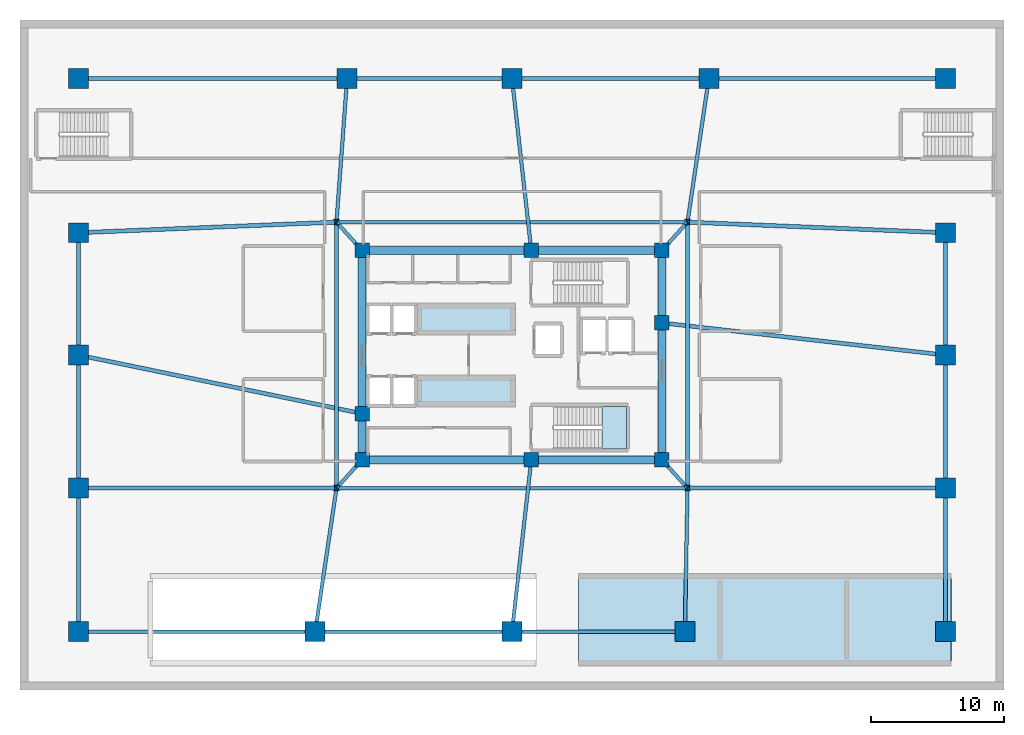
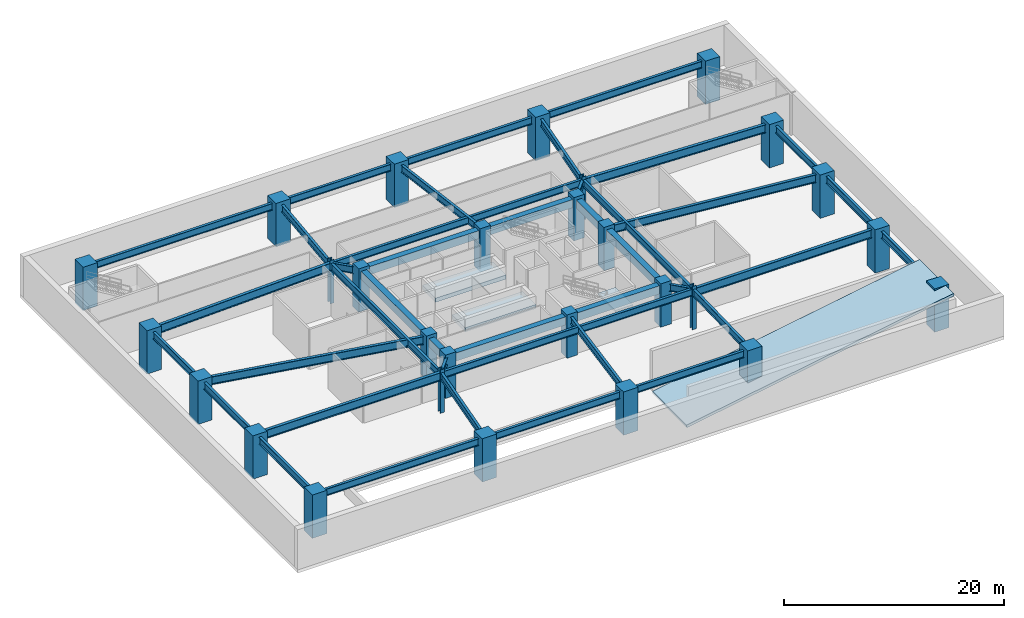
# One storey, part 1 of 7: 41 beams, 28 columns, 4 slabs, 1 element without a shape of its own.
"""IFC4 building model written with IfcOpenShell, lengths in metres."""

from ifc_helpers import new_model, si_unit, direction, frame, origin, origin_2d, place, context, subcontext, project, spatial, polyline, rectangle, i_section, outline, extrude, material, layer, layer_set, material_profile, profile_set, type_object, element, aggregate, save


model = new_model("IFC4")

# Units and contexts
model_context = context("Model", 3, precision=1e-05, world=origin(), true_north=direction((0.0, 1.0)))
body_context = subcontext(model_context, "Body", "Model", "MODEL_VIEW")
ifc_project = project(units=[si_unit("LENGTHUNIT", "METRE"), si_unit("AREAUNIT", "SQUARE_METRE"), si_unit("VOLUMEUNIT", "CUBIC_METRE"), si_unit("PLANEANGLEUNIT", "RADIAN"), si_unit("MASSUNIT", "GRAM", prefix="KILO")], contexts=[model_context])

# Site, building, storey
site_placement = place(None, origin())
site = spatial("IfcSite", under=ifc_project, at=site_placement, CompositionType="ELEMENT")
building_placement = place(site_placement, origin())
building = spatial("IfcBuilding", under=site, at=building_placement, Name="Zulverin Broadcast Headquarters", CompositionType="ELEMENT")
storey_placement = place(building_placement, frame((0.0, 0.0, -4.800048828125)))
storey = spatial("IfcBuildingStorey", under=building, at=storey_placement, Name="B1", CompositionType="ELEMENT", Elevation=-4.800048828125)

# Columns
ifc_material_1 = material(Name="Concrete C60/75", Category="concrete")
ifc_material_profile_1 = material_profile(ifc_material_1, rectangle(XDim=1.5, YDim=1.5, at=origin_2d()), Name="Concrete C60/75", Category="concrete")
ifc_profile_set_1 = profile_set([ifc_material_profile_1], Name="Concrete C60/75")
column_type_1 = type_object("IfcColumnType", Name="COL-RC-1500", PredefinedType="COLUMN", material=ifc_profile_set_1)
for number, where, z_axis, x_axis, name in (
    (1, (4.39990234375, 4.39990234375, 0.0), (0.0, 0.0, 1.0), (1.0, 0.0, 0.0), "B1 Podium Mega Column P01"),
    (2, (22.199951171875, 4.39990234375, 0.0), (0.0, 0.0, 1.0), (1.0, 0.0, 0.0), "B1 Podium Mega Column P02"),
    (3, (37.0, 4.39990234375, 0.0), (0.0, 0.0, 1.0), (1.0, 0.0, 0.0), "B1 Podium Mega Column P03"),
    (4, (50.0, 4.39990234375, 0.0), (0.0, 0.0, 1.0), (1.0, 0.0, 0.0), "B1 Podium Mega Column P04"),
    (5, (69.60009765625, 4.39990234375, 0.0), (0.0, 0.0, 1.0), (1.0, 0.0, 0.0), "B1 Podium Mega Column P05"),
    (6, (4.39990234375, 46.0, 0.0), (0.0, 0.0, 1.0), (1.0, 0.0, 0.0), "B1 Podium Mega Column P06"),
    (7, (24.60009765625, 46.0, 0.0), (0.0, 0.0, 1.0), (1.0, 0.0, 0.0), "B1 Podium Mega Column P07"),
    (8, (37.0, 46.0, 0.0), (0.0, 0.0, 1.0), (1.0, 0.0, 0.0), "B1 Podium Mega Column P08"),
    (9, (51.800048828125, 46.0, 0.0), (0.0, 0.0, 1.0), (1.0, 0.0, 0.0), "B1 Podium Mega Column P09"),
    (10, (69.60009765625, 46.0, 0.0), (0.0, 0.0, 1.0), (1.0, 0.0, 0.0), "B1 Podium Mega Column P10"),
    (11, (4.39990234375, 15.199951171875, 0.0), (0.0, 0.0, 1.0), (1.0, 0.0, 0.0), "B1 Podium Mega Column P11"),
    (12, (4.39990234375, 25.199951171875, 0.0), (0.0, 0.0, 1.0), (1.0, 0.0, 0.0), "B1 Podium Mega Column P12"),
    (13, (4.39990234375, 34.39990234375, 0.0), (0.0, 0.0, 1.0), (1.0, 0.0, 0.0), "B1 Podium Mega Column P13"),
    (14, (69.60009765625, 15.199951171875, 0.0), (0.0, 0.0, 1.0), (1.0, 0.0, 0.0), "B1 Podium Mega Column P14"),
    (15, (69.60009765625, 25.199951171875, 0.0), (0.0, 0.0, 1.0), (1.0, 0.0, 0.0), "B1 Podium Mega Column P15"),
    (16, (69.60009765625, 34.39990234375, 0.0), (0.0, 0.0, 1.0), (1.0, 0.0, 0.0), "B1 Podium Mega Column P16"),
):
    element("IfcColumn", number, at=place(storey_placement, frame(where, z_axis=z_axis, x_axis=x_axis)), inside=storey, type_object=column_type_1, Name=name, PredefinedType="COLUMN", context=body_context, shape_type="SweptSolid", body=[
        extrude(rectangle(XDim=1.5, YDim=1.5, at=origin_2d()), origin(), (0.0, 0.0, 1.0), 4.800048828125),
    ])
ifc_material_2 = material(Name="Structural steel S460M", Category="steel")
ifc_material_profile_2 = material_profile(ifc_material_2, i_section(OverallWidth=0.41845703125, OverallDepth=0.45556640625, WebThickness=0.0419921875, FlangeThickness=0.0673828125, at=origin_2d()), Name="Structural steel S460M", Category="steel")
ifc_profile_set_2 = profile_set([ifc_material_profile_2], Name="Structural steel S460M")
column_type_2 = type_object("IfcColumnType", Name="COL-UC-551", PredefinedType="COLUMN", material=ifc_profile_set_2)
for number, where, z_axis, x_axis, name in (
    (17, (23.800048828125, 15.199951171875, 0.0), (0.0, 0.0, 1.0), (1.0, 0.0, 0.0), "B1 Podium Mega Column M01"),
    (18, (50.199951171875, 15.199951171875, 0.0), (0.0, 0.0, 1.0), (1.0, 0.0, 0.0), "B1 Podium Mega Column M02"),
    (19, (50.199951171875, 35.199951171875, 0.0), (0.0, 0.0, 1.0), (1.0, 0.0, 0.0), "B1 Podium Mega Column M03"),
    (20, (23.800048828125, 35.199951171875, 0.0), (0.0, 0.0, 1.0), (1.0, 0.0, 0.0), "B1 Podium Mega Column M04"),
):
    element("IfcColumn", number, at=place(storey_placement, frame(where, z_axis=z_axis, x_axis=x_axis)), inside=storey, type_object=column_type_2, Name=name, PredefinedType="COLUMN", context=body_context, shape_type="SweptSolid", body=[
        extrude(i_section(OverallWidth=0.41845703125, OverallDepth=0.45556640625, WebThickness=0.0419921875, FlangeThickness=0.0673828125, at=origin_2d()), origin(), (0.0, 0.0, 1.0), 4.800048828125),
    ])
ifc_material_profile_3 = material_profile(ifc_material_1, rectangle(XDim=1.10009765625, YDim=1.10009765625, at=origin_2d()), Name="Concrete C60/75", Category="concrete")
ifc_profile_set_3 = profile_set([ifc_material_profile_3], Name="Concrete C60/75")
column_type_3 = type_object("IfcColumnType", Name="PIL-RC-1100", PredefinedType="PILASTER", material=ifc_profile_set_3)
for number, where, z_axis, x_axis, name in (
    (21, (25.72509765625, 17.324951171875, 0.0), (0.0, 0.0, 1.0), (1.0, 0.0, 0.0), "B1 Core Pilaster K01"),
    (22, (38.449951171875, 17.324951171875, 0.0), (0.0, 0.0, 1.0), (1.0, 0.0, 0.0), "B1 Core Pilaster K02"),
    (23, (48.27490234375, 17.324951171875, 0.0), (0.0, 0.0, 1.0), (1.0, 0.0, 0.0), "B1 Core Pilaster K03"),
    (24, (48.27490234375, 27.6201171875, 0.0), (0.0, 0.0, 1.0), (1.0, 0.0, 0.0), "B1 Core Pilaster K04"),
    (25, (48.27490234375, 33.074951171875, 0.0), (0.0, 0.0, 1.0), (1.0, 0.0, 0.0), "B1 Core Pilaster K05"),
    (26, (38.449951171875, 33.074951171875, 0.0), (0.0, 0.0, 1.0), (1.0, 0.0, 0.0), "B1 Core Pilaster K06"),
    (27, (25.72509765625, 33.074951171875, 0.0), (0.0, 0.0, 1.0), (1.0, 0.0, 0.0), "B1 Core Pilaster K07"),
    (28, (25.72509765625, 20.800048828125, 0.0), (0.0, 0.0, 1.0), (1.0, 0.0, 0.0), "B1 Core Pilaster K08"),
):
    element("IfcColumn", number, at=place(storey_placement, frame(where, z_axis=z_axis, x_axis=x_axis)), inside=storey, type_object=column_type_3, Name=name, PredefinedType="PILASTER", context=body_context, shape_type="SweptSolid", body=[
        extrude(rectangle(XDim=1.10009765625, YDim=1.10009765625, at=origin_2d()), origin(), (0.0, 0.0, 1.0), 4.800048828125),
    ])

# Beams
ifc_material_profile_4 = material_profile(ifc_material_1, rectangle(XDim=0.60009765625, YDim=0.89990234375, at=origin_2d()), Name="Concrete C60/75", Category="concrete")
ifc_profile_set_4 = profile_set([ifc_material_profile_4], Name="Concrete C60/75")
beam_type_1 = type_object("IfcBeamType", Name="BM-CB-600x900", PredefinedType="LINTEL", material=ifc_profile_set_4)
beam_1_placement = place(storey_placement, frame((25.72509765625, 17.324951171875, 4.0), z_axis=(1.0, 0.0, 0.0), x_axis=(0.0, 1.0, 0.0)))
element("IfcBeam", 29, at=beam_1_placement, inside=storey, type_object=beam_type_1, Name="B1 Core Coupling Girder K01-K02", PredefinedType="LINTEL", context=body_context, shape_type="SweptSolid", body=[
    extrude(rectangle(XDim=0.60009765625, YDim=0.89990234375, at=origin_2d()), origin(), (0.0, 0.0, 1.0), 12.724853515625),
])
beam_2_placement = place(storey_placement, frame((38.449951171875, 17.324951171875, 4.0), z_axis=(1.0, 0.0, 0.0), x_axis=(0.0, 1.0, 0.0)))
element("IfcBeam", 30, at=beam_2_placement, inside=storey, type_object=beam_type_1, Name="B1 Core Coupling Girder K02-K03", PredefinedType="LINTEL", context=body_context, shape_type="SweptSolid", body=[
    extrude(rectangle(XDim=0.60009765625, YDim=0.89990234375, at=origin_2d()), origin(), (0.0, 0.0, 1.0), 9.824951171875),
])
beam_3_placement = place(storey_placement, frame((48.27490234375, 17.324951171875, 4.0), z_axis=(0.0, 1.0, 0.0), x_axis=(-1.0, 0.0, 0.0)))
element("IfcBeam", 31, at=beam_3_placement, inside=storey, type_object=beam_type_1, Name="B1 Core Coupling Girder K03-K04", PredefinedType="LINTEL", context=body_context, shape_type="SweptSolid", body=[
    extrude(rectangle(XDim=0.60009765625, YDim=0.89990234375, at=origin_2d()), origin(), (0.0, 0.0, 1.0), 10.295166015625),
])
beam_4_placement = place(storey_placement, frame((48.27490234375, 27.6201171875, 4.0), z_axis=(0.0, 1.0, 0.0), x_axis=(-1.0, 0.0, 0.0)))
element("IfcBeam", 32, at=beam_4_placement, inside=storey, type_object=beam_type_1, Name="B1 Core Coupling Girder K04-K05", PredefinedType="LINTEL", context=body_context, shape_type="SweptSolid", body=[
    extrude(rectangle(XDim=0.60009765625, YDim=0.89990234375, at=origin_2d()), origin(), (0.0, 0.0, 1.0), 5.454833984375),
])
beam_5_placement = place(storey_placement, frame((48.27490234375, 33.074951171875, 4.0), z_axis=(-1.0, 0.0, 0.0), x_axis=(0.0, -1.0, 0.0)))
element("IfcBeam", 33, at=beam_5_placement, inside=storey, type_object=beam_type_1, Name="B1 Core Coupling Girder K05-K06", PredefinedType="LINTEL", context=body_context, shape_type="SweptSolid", body=[
    extrude(rectangle(XDim=0.60009765625, YDim=0.89990234375, at=origin_2d()), origin(), (0.0, 0.0, 1.0), 9.824951171875),
])
beam_6_placement = place(storey_placement, frame((38.449951171875, 33.074951171875, 4.0), z_axis=(-1.0, 0.0, 0.0), x_axis=(0.0, -1.0, 0.0)))
element("IfcBeam", 34, at=beam_6_placement, inside=storey, type_object=beam_type_1, Name="B1 Core Coupling Girder K06-K07", PredefinedType="LINTEL", context=body_context, shape_type="SweptSolid", body=[
    extrude(rectangle(XDim=0.60009765625, YDim=0.89990234375, at=origin_2d()), origin(), (0.0, 0.0, 1.0), 12.724853515625),
])
beam_7_placement = place(storey_placement, frame((25.72509765625, 33.074951171875, 4.0), z_axis=(0.0, -1.0, 0.0), x_axis=(1.0, 0.0, 0.0)))
element("IfcBeam", 35, at=beam_7_placement, inside=storey, type_object=beam_type_1, Name="B1 Core Coupling Girder K07-K08", PredefinedType="LINTEL", context=body_context, shape_type="SweptSolid", body=[
    extrude(rectangle(XDim=0.60009765625, YDim=0.89990234375, at=origin_2d()), origin(), (0.0, 0.0, 1.0), 12.27490234375),
])
beam_8_placement = place(storey_placement, frame((25.72509765625, 20.800048828125, 4.0), z_axis=(0.0, -1.0, 0.0), x_axis=(1.0, 0.0, 0.0)))
element("IfcBeam", 36, at=beam_8_placement, inside=storey, type_object=beam_type_1, Name="B1 Core Coupling Girder K08-K01", PredefinedType="LINTEL", context=body_context, shape_type="SweptSolid", body=[
    extrude(rectangle(XDim=0.60009765625, YDim=0.89990234375, at=origin_2d()), origin(), (0.0, 0.0, 1.0), 3.47509765625),
])
ifc_material_profile_5 = material_profile(ifc_material_2, i_section(OverallWidth=0.300048828125, OverallDepth=0.89990234375, WebThickness=0.0185546875, FlangeThickness=0.034912109375, at=origin_2d()), Name="Structural steel S460M", Category="steel")
ifc_profile_set_5 = profile_set([ifc_material_profile_5], Name="Structural steel S460M")
beam_type_2 = type_object("IfcBeamType", Name="BM-HEB-900", PredefinedType="BEAM", material=ifc_profile_set_5)
beam_9_placement = place(storey_placement, frame((4.39990234375, 25.199951171875, 4.0), z_axis=(0.979371499946, -0.202067971471, 0.0), x_axis=(0.202067971471, 0.979371499946, 0.0)))
element("IfcBeam", 37, at=beam_9_placement, inside=storey, type_object=beam_type_2, Name="B1 Long-Span Studio Girder P12-K08", PredefinedType="BEAM", context=body_context, shape_type="SweptSolid", body=[
    extrude(i_section(OverallWidth=0.300048828125, OverallDepth=0.89990234375, WebThickness=0.0185546875, FlangeThickness=0.034912109375, at=origin_2d()), origin(), (0.0, 0.0, 1.0), 21.7744140625),
])
beam_10_placement = place(storey_placement, frame((69.60009765625, 25.199951171875, 4.0), z_axis=(-0.993621718585, 0.112764712373, 0.0), x_axis=(-0.112764712373, -0.993621718585, 0.0)))
element("IfcBeam", 38, at=beam_10_placement, inside=storey, type_object=beam_type_2, Name="B1 Long-Span Studio Girder P15-K04", PredefinedType="BEAM", context=body_context, shape_type="SweptSolid", body=[
    extrude(i_section(OverallWidth=0.300048828125, OverallDepth=0.89990234375, WebThickness=0.0185546875, FlangeThickness=0.034912109375, at=origin_2d()), origin(), (0.0, 0.0, 1.0), 21.462158203125),
])
ifc_material_3 = material(Name="Structural steel S355JR", Category="steel")
ifc_material_profile_6 = material_profile(ifc_material_3, i_section(OverallWidth=0.26806640625, OverallDepth=0.769775390625, WebThickness=0.015625, FlangeThickness=0.025390625, at=origin_2d()), Name="Structural steel S355JR", Category="steel")
ifc_profile_set_6 = profile_set([ifc_material_profile_6], Name="Structural steel S355JR")
beam_type_3 = type_object("IfcBeamType", Name="BM-UB-762", PredefinedType="BEAM", material=ifc_profile_set_6)
beam_11_placement = place(storey_placement, frame((4.39990234375, 4.39990234375, 4.065185546875), z_axis=(1.0, 0.0, 0.0), x_axis=(0.0, 1.0, 0.0)))
element("IfcBeam", 39, at=beam_11_placement, inside=storey, type_object=beam_type_3, Name="B1 Podium Primary Girder P01-P02", PredefinedType="BEAM", context=body_context, shape_type="SweptSolid", body=[
    extrude(i_section(OverallWidth=0.26806640625, OverallDepth=0.769775390625, WebThickness=0.015625, FlangeThickness=0.025390625, at=origin_2d()), origin(), (0.0, 0.0, 1.0), 17.800048828125),
])
beam_12_placement = place(storey_placement, frame((22.199951171875, 4.39990234375, 4.065185546875), z_axis=(1.0, 0.0, 0.0), x_axis=(0.0, 1.0, 0.0)))
element("IfcBeam", 40, at=beam_12_placement, inside=storey, type_object=beam_type_3, Name="B1 Podium Primary Girder P02-P03", PredefinedType="BEAM", context=body_context, shape_type="SweptSolid", body=[
    extrude(i_section(OverallWidth=0.26806640625, OverallDepth=0.769775390625, WebThickness=0.015625, FlangeThickness=0.025390625, at=origin_2d()), origin(), (0.0, 0.0, 1.0), 14.800048828125),
])
beam_13_placement = place(storey_placement, frame((37.0, 4.39990234375, 4.065185546875), z_axis=(1.0, 0.0, 0.0), x_axis=(0.0, 1.0, 0.0)))
element("IfcBeam", 41, at=beam_13_placement, inside=storey, type_object=beam_type_3, Name="B1 Podium Primary Girder P03-P04", PredefinedType="BEAM", context=body_context, shape_type="SweptSolid", body=[
    extrude(i_section(OverallWidth=0.26806640625, OverallDepth=0.769775390625, WebThickness=0.015625, FlangeThickness=0.025390625, at=origin_2d()), origin(), (0.0, 0.0, 1.0), 13.0),
])
beam_14_placement = place(storey_placement, frame((69.60009765625, 4.39990234375, 4.025146484375), z_axis=(0.0, 1.0, 0.0), x_axis=(-1.0, 0.0, 0.0)))
element("IfcBeam", 42, at=beam_14_placement, inside=storey, type_object=beam_type_3, Name="B1 Podium Primary Girder P05-P14", PredefinedType="BEAM", context=body_context, shape_type="SweptSolid", body=[
    extrude(i_section(OverallWidth=0.26806640625, OverallDepth=0.769775390625, WebThickness=0.015625, FlangeThickness=0.025390625, at=origin_2d()), origin(), (0.0, 0.0, 1.0), 10.800048828125),
])
beam_15_placement = place(storey_placement, frame((69.60009765625, 15.199951171875, 4.065185546875), z_axis=(0.0, 1.0, 0.0), x_axis=(-1.0, 0.0, 0.0)))
element("IfcBeam", 43, at=beam_15_placement, inside=storey, type_object=beam_type_3, Name="B1 Podium Primary Girder P14-P15", PredefinedType="BEAM", context=body_context, shape_type="SweptSolid", body=[
    extrude(i_section(OverallWidth=0.26806640625, OverallDepth=0.769775390625, WebThickness=0.015625, FlangeThickness=0.025390625, at=origin_2d()), origin(), (0.0, 0.0, 1.0), 10.0),
])
beam_16_placement = place(storey_placement, frame((69.60009765625, 25.199951171875, 4.065185546875), z_axis=(0.0, 1.0, 0.0), x_axis=(-1.0, 0.0, 0.0)))
element("IfcBeam", 44, at=beam_16_placement, inside=storey, type_object=beam_type_3, Name="B1 Podium Primary Girder P15-P16", PredefinedType="BEAM", context=body_context, shape_type="SweptSolid", body=[
    extrude(i_section(OverallWidth=0.26806640625, OverallDepth=0.769775390625, WebThickness=0.015625, FlangeThickness=0.025390625, at=origin_2d()), origin(), (0.0, 0.0, 1.0), 9.199951171875),
])
beam_17_placement = place(storey_placement, frame((69.60009765625, 46.0, 4.065185546875), z_axis=(-1.0, 0.0, 0.0), x_axis=(0.0, -1.0, 0.0)))
element("IfcBeam", 45, at=beam_17_placement, inside=storey, type_object=beam_type_3, Name="B1 Podium Primary Girder P10-P09", PredefinedType="BEAM", context=body_context, shape_type="SweptSolid", body=[
    extrude(i_section(OverallWidth=0.26806640625, OverallDepth=0.769775390625, WebThickness=0.015625, FlangeThickness=0.025390625, at=origin_2d()), origin(), (0.0, 0.0, 1.0), 17.800048828125),
])
beam_18_placement = place(storey_placement, frame((51.800048828125, 46.0, 4.065185546875), z_axis=(-1.0, 0.0, 0.0), x_axis=(0.0, -1.0, 0.0)))
element("IfcBeam", 46, at=beam_18_placement, inside=storey, type_object=beam_type_3, Name="B1 Podium Primary Girder P09-P08", PredefinedType="BEAM", context=body_context, shape_type="SweptSolid", body=[
    extrude(i_section(OverallWidth=0.26806640625, OverallDepth=0.769775390625, WebThickness=0.015625, FlangeThickness=0.025390625, at=origin_2d()), origin(), (0.0, 0.0, 1.0), 14.800048828125),
])
beam_19_placement = place(storey_placement, frame((37.0, 46.0, 4.065185546875), z_axis=(-1.0, 0.0, 0.0), x_axis=(0.0, -1.0, 0.0)))
element("IfcBeam", 47, at=beam_19_placement, inside=storey, type_object=beam_type_3, Name="B1 Podium Primary Girder P08-P07", PredefinedType="BEAM", context=body_context, shape_type="SweptSolid", body=[
    extrude(i_section(OverallWidth=0.26806640625, OverallDepth=0.769775390625, WebThickness=0.015625, FlangeThickness=0.025390625, at=origin_2d()), origin(), (0.0, 0.0, 1.0), 12.39990234375),
])
beam_20_placement = place(storey_placement, frame((24.60009765625, 46.0, 4.065185546875), z_axis=(-1.0, 0.0, 0.0), x_axis=(0.0, -1.0, 0.0)))
element("IfcBeam", 48, at=beam_20_placement, inside=storey, type_object=beam_type_3, Name="B1 Podium Primary Girder P07-P06", PredefinedType="BEAM", context=body_context, shape_type="SweptSolid", body=[
    extrude(i_section(OverallWidth=0.26806640625, OverallDepth=0.769775390625, WebThickness=0.015625, FlangeThickness=0.025390625, at=origin_2d()), origin(), (0.0, 0.0, 1.0), 20.2001953125),
])
beam_21_placement = place(storey_placement, frame((4.39990234375, 34.39990234375, 4.065185546875), z_axis=(0.0, -1.0, 0.0), x_axis=(1.0, 0.0, 0.0)))
element("IfcBeam", 49, at=beam_21_placement, inside=storey, type_object=beam_type_3, Name="B1 Podium Primary Girder P13-P12", PredefinedType="BEAM", context=body_context, shape_type="SweptSolid", body=[
    extrude(i_section(OverallWidth=0.26806640625, OverallDepth=0.769775390625, WebThickness=0.015625, FlangeThickness=0.025390625, at=origin_2d()), origin(), (0.0, 0.0, 1.0), 9.199951171875),
])
beam_22_placement = place(storey_placement, frame((4.39990234375, 25.199951171875, 4.065185546875), z_axis=(0.0, -1.0, 0.0), x_axis=(1.0, 0.0, 0.0)))
element("IfcBeam", 50, at=beam_22_placement, inside=storey, type_object=beam_type_3, Name="B1 Podium Primary Girder P12-P11", PredefinedType="BEAM", context=body_context, shape_type="SweptSolid", body=[
    extrude(i_section(OverallWidth=0.26806640625, OverallDepth=0.769775390625, WebThickness=0.015625, FlangeThickness=0.025390625, at=origin_2d()), origin(), (0.0, 0.0, 1.0), 10.0),
])
beam_23_placement = place(storey_placement, frame((4.39990234375, 15.199951171875, 4.065185546875), z_axis=(0.0, -1.0, 0.0), x_axis=(1.0, 0.0, 0.0)))
element("IfcBeam", 51, at=beam_23_placement, inside=storey, type_object=beam_type_3, Name="B1 Podium Primary Girder P11-P01", PredefinedType="BEAM", context=body_context, shape_type="SweptSolid", body=[
    extrude(i_section(OverallWidth=0.26806640625, OverallDepth=0.769775390625, WebThickness=0.015625, FlangeThickness=0.025390625, at=origin_2d()), origin(), (0.0, 0.0, 1.0), 10.800048828125),
])
for number, where, z_axis, x_axis, name in (
    (52, (23.800048828125, 15.199951171875, 4.065185546875), (0.671379160881, 0.741114041383, 0.0), (-0.741114041383, 0.671379160881, 0.0), "B1 Podium Primary Girder M01-K01"),
    (53, (50.199951171875, 15.199951171875, 4.065185546875), (-0.671379160881, 0.741114041383, 0.0), (-0.741114041383, -0.671379160881, 0.0), "B1 Podium Primary Girder M02-K03"),
    (54, (50.199951171875, 35.199951171875, 4.065185546875), (-0.671379160881, -0.741114041383, 0.0), (0.741114041383, -0.671379160881, 0.0), "B1 Podium Primary Girder M03-K05"),
    (55, (23.800048828125, 35.199951171875, 4.065185546875), (0.671379160881, -0.741114041383, 0.0), (0.741114041383, 0.671379160881, 0.0), "B1 Podium Primary Girder M04-K07"),
):
    element("IfcBeam", number, at=place(storey_placement, frame(where, z_axis=z_axis, x_axis=x_axis)), inside=storey, type_object=beam_type_3, Name=name, PredefinedType="BEAM", context=body_context, shape_type="SweptSolid", body=[
        extrude(i_section(OverallWidth=0.26806640625, OverallDepth=0.769775390625, WebThickness=0.015625, FlangeThickness=0.025390625, at=origin_2d()), origin(), (0.0, 0.0, 1.0), 2.8671875),
    ])
beam_24_placement = place(storey_placement, frame((23.800048828125, 15.199951171875, 4.065185546875), z_axis=(1.0, 0.0, 0.0), x_axis=(0.0, 1.0, 0.0)))
element("IfcBeam", 56, at=beam_24_placement, inside=storey, type_object=beam_type_3, Name="B1 Podium Primary Girder M01-M02", PredefinedType="BEAM", context=body_context, shape_type="SweptSolid", body=[
    extrude(i_section(OverallWidth=0.26806640625, OverallDepth=0.769775390625, WebThickness=0.015625, FlangeThickness=0.025390625, at=origin_2d()), origin(), (0.0, 0.0, 1.0), 26.39990234375),
])
beam_25_placement = place(storey_placement, frame((50.199951171875, 15.199951171875, 4.065185546875), z_axis=(0.0, 1.0, 0.0), x_axis=(-1.0, 0.0, 0.0)))
element("IfcBeam", 57, at=beam_25_placement, inside=storey, type_object=beam_type_3, Name="B1 Podium Primary Girder M02-M03", PredefinedType="BEAM", context=body_context, shape_type="SweptSolid", body=[
    extrude(i_section(OverallWidth=0.26806640625, OverallDepth=0.769775390625, WebThickness=0.015625, FlangeThickness=0.025390625, at=origin_2d()), origin(), (0.0, 0.0, 1.0), 20.0),
])
beam_26_placement = place(storey_placement, frame((50.199951171875, 35.199951171875, 4.065185546875), z_axis=(-1.0, 0.0, 0.0), x_axis=(0.0, -1.0, 0.0)))
element("IfcBeam", 58, at=beam_26_placement, inside=storey, type_object=beam_type_3, Name="B1 Podium Primary Girder M03-M04", PredefinedType="BEAM", context=body_context, shape_type="SweptSolid", body=[
    extrude(i_section(OverallWidth=0.26806640625, OverallDepth=0.769775390625, WebThickness=0.015625, FlangeThickness=0.025390625, at=origin_2d()), origin(), (0.0, 0.0, 1.0), 26.39990234375),
])
beam_27_placement = place(storey_placement, frame((23.800048828125, 35.199951171875, 4.065185546875), z_axis=(0.0, -1.0, 0.0), x_axis=(1.0, 0.0, 0.0)))
element("IfcBeam", 59, at=beam_27_placement, inside=storey, type_object=beam_type_3, Name="B1 Podium Primary Girder M04-M01", PredefinedType="BEAM", context=body_context, shape_type="SweptSolid", body=[
    extrude(i_section(OverallWidth=0.26806640625, OverallDepth=0.769775390625, WebThickness=0.015625, FlangeThickness=0.025390625, at=origin_2d()), origin(), (0.0, 0.0, 1.0), 20.0),
])
for number, where, z_axis, x_axis, name in (
    (60, (37.0, 4.39990234375, 4.065185546875), (0.111482194079, 0.993766431514, 0.0), (-0.993766431514, 0.111482194079, 0.0), "B1 Podium Primary Girder P03-K02"),
    (61, (37.0, 46.0, 4.065185546875), (0.111482194079, -0.993766431514, 0.0), (0.993766431514, 0.111482194079, 0.0), "B1 Podium Primary Girder P08-K06"),
):
    element("IfcBeam", number, at=place(storey_placement, frame(where, z_axis=z_axis, x_axis=x_axis)), inside=storey, type_object=beam_type_3, Name=name, PredefinedType="BEAM", context=body_context, shape_type="SweptSolid", body=[
        extrude(i_section(OverallWidth=0.26806640625, OverallDepth=0.769775390625, WebThickness=0.015625, FlangeThickness=0.025390625, at=origin_2d()), origin(), (0.0, 0.0, 1.0), 13.006103515625),
    ])
beam_28_placement = place(storey_placement, frame((22.199951171875, 4.39990234375, 4.065185546875), z_axis=(0.146556765224, 0.989202261707, 0.0), x_axis=(-0.989202261707, 0.146556765224, 0.0)))
element("IfcBeam", 62, at=beam_28_placement, inside=storey, type_object=beam_type_3, Name="B1 Podium Primary Girder P02-M01", PredefinedType="BEAM", context=body_context, shape_type="SweptSolid", body=[
    extrude(i_section(OverallWidth=0.26806640625, OverallDepth=0.769775390625, WebThickness=0.015625, FlangeThickness=0.025390625, at=origin_2d()), origin(), (0.0, 0.0, 1.0), 10.91796875),
])
beam_29_placement = place(storey_placement, frame((50.0, 4.39990234375, 4.065185546875), z_axis=(0.018510741547, 0.999828661545, 0.0), x_axis=(-0.999828661545, 0.018510741547, 0.0)))
element("IfcBeam", 63, at=beam_29_placement, inside=storey, type_object=beam_type_3, Name="B1 Podium Primary Girder P04-M02", PredefinedType="BEAM", context=body_context, shape_type="SweptSolid", body=[
    extrude(i_section(OverallWidth=0.26806640625, OverallDepth=0.769775390625, WebThickness=0.015625, FlangeThickness=0.025390625, at=origin_2d()), origin(), (0.0, 0.0, 1.0), 10.802001953125),
])
beam_30_placement = place(storey_placement, frame((24.60009765625, 46.0, 4.065185546875), z_axis=(-0.0738758375, -0.997267446894, 0.0), x_axis=(0.997267446894, -0.0738758375, 0.0)))
element("IfcBeam", 64, at=beam_30_placement, inside=storey, type_object=beam_type_3, Name="B1 Podium Primary Girder P07-M04", PredefinedType="BEAM", context=body_context, shape_type="SweptSolid", body=[
    extrude(i_section(OverallWidth=0.26806640625, OverallDepth=0.769775390625, WebThickness=0.015625, FlangeThickness=0.025390625, at=origin_2d()), origin(), (0.0, 0.0, 1.0), 10.82958984375),
])
beam_31_placement = place(storey_placement, frame((51.800048828125, 46.0, 4.065185546875), z_axis=(-0.146556765224, -0.989202261707, 0.0), x_axis=(0.989202261707, -0.146556765224, 0.0)))
element("IfcBeam", 65, at=beam_31_placement, inside=storey, type_object=beam_type_3, Name="B1 Podium Primary Girder P09-M03", PredefinedType="BEAM", context=body_context, shape_type="SweptSolid", body=[
    extrude(i_section(OverallWidth=0.26806640625, OverallDepth=0.769775390625, WebThickness=0.015625, FlangeThickness=0.025390625, at=origin_2d()), origin(), (0.0, 0.0, 1.0), 10.91796875),
])
ifc_material_profile_7 = material_profile(ifc_material_2, i_section(OverallWidth=0.3076171875, OverallDepth=0.926513671875, WebThickness=0.01953125, FlangeThickness=0.031982421875, at=origin_2d()), Name="Structural steel S460M", Category="steel")
ifc_profile_set_7 = profile_set([ifc_material_profile_7], Name="Structural steel S460M")
beam_type_4 = type_object("IfcBeamType", Name="BM-UB-914", PredefinedType="BEAM", material=ifc_profile_set_7)
beam_32_placement = place(storey_placement, frame((4.39990234375, 15.199951171875, 3.98681640625), z_axis=(1.0, 0.0, 0.0), x_axis=(0.0, 1.0, 0.0)))
element("IfcBeam", 66, at=beam_32_placement, inside=storey, type_object=beam_type_4, Name="B1 Long-Span Studio Girder P11-M01", PredefinedType="BEAM", context=body_context, shape_type="SweptSolid", body=[
    extrude(i_section(OverallWidth=0.3076171875, OverallDepth=0.926513671875, WebThickness=0.01953125, FlangeThickness=0.031982421875, at=origin_2d()), origin(), (0.0, 0.0, 1.0), 19.400146484375),
])
beam_33_placement = place(storey_placement, frame((4.39990234375, 34.39990234375, 3.98681640625), z_axis=(0.999150742371, 0.041204296122, 0.0), x_axis=(-0.041204296122, 0.999150742371, 0.0)))
element("IfcBeam", 67, at=beam_33_placement, inside=storey, type_object=beam_type_4, Name="B1 Long-Span Studio Girder P13-M04", PredefinedType="BEAM", context=body_context, shape_type="SweptSolid", body=[
    extrude(i_section(OverallWidth=0.3076171875, OverallDepth=0.926513671875, WebThickness=0.01953125, FlangeThickness=0.031982421875, at=origin_2d()), origin(), (0.0, 0.0, 1.0), 19.416748046875),
])
beam_34_placement = place(storey_placement, frame((69.60009765625, 15.199951171875, 3.98681640625), z_axis=(-1.0, 0.0, 0.0), x_axis=(0.0, -1.0, 0.0)))
element("IfcBeam", 68, at=beam_34_placement, inside=storey, type_object=beam_type_4, Name="B1 Long-Span Studio Girder P14-M02", PredefinedType="BEAM", context=body_context, shape_type="SweptSolid", body=[
    extrude(i_section(OverallWidth=0.3076171875, OverallDepth=0.926513671875, WebThickness=0.01953125, FlangeThickness=0.031982421875, at=origin_2d()), origin(), (0.0, 0.0, 1.0), 19.400146484375),
])
beam_35_placement = place(storey_placement, frame((69.60009765625, 34.39990234375, 3.98681640625), z_axis=(-0.999150742371, 0.041204296122, 0.0), x_axis=(-0.041204296122, -0.999150742371, 0.0)))
element("IfcBeam", 69, at=beam_35_placement, inside=storey, type_object=beam_type_4, Name="B1 Long-Span Studio Girder P16-M03", PredefinedType="BEAM", context=body_context, shape_type="SweptSolid", body=[
    extrude(i_section(OverallWidth=0.3076171875, OverallDepth=0.926513671875, WebThickness=0.01953125, FlangeThickness=0.031982421875, at=origin_2d()), origin(), (0.0, 0.0, 1.0), 19.416748046875),
])

# Slabs
ifc_material_4 = material(Name="Concrete C50/60", Category="concrete")
ifc_layer_1 = layer(ifc_material_4, 0.449951171875, Name="Concrete C50/60", Category="concrete")
ifc_layer_set_1 = layer_set([ifc_layer_1], Name="Concrete C50/60")
slab_type_1 = type_object("IfcSlabType", Name="SLB-PIT-450", PredefinedType="BASESLAB", material=ifc_layer_set_1)
slab_1_placement = place(storey_placement, frame((0.0, 0.0, 3.0)))
element("IfcSlab", 70, at=slab_1_placement, inside=storey, type_object=slab_type_1, Name="B1 Mid-Rise Zoned Lift Pit Slab", PredefinedType="BASESLAB", context=body_context, shape_type="SweptSolid", body=[
    extrude(outline(polyline([(29.85009765625, 21.300048828125), (37.25, 21.300048828125), (37.25, 23.699951171875), (29.85009765625, 23.699951171875), (29.85009765625, 21.300048828125)])), origin(), (0.0, 0.0, 1.0), 0.449951171875),
])
slab_2_placement = place(storey_placement, frame((0.0, 0.0, 3.0)))
element("IfcSlab", 71, at=slab_2_placement, inside=storey, type_object=slab_type_1, Name="B1 High-Rise Zoned Lift Pit Slab", PredefinedType="BASESLAB", context=body_context, shape_type="SweptSolid", body=[
    extrude(outline(polyline([(29.85009765625, 26.699951171875), (37.25, 26.699951171875), (37.25, 29.10009765625), (29.85009765625, 29.10009765625), (29.85009765625, 26.699951171875)])), origin(), (0.0, 0.0, 1.0), 0.449951171875),
])

# Stair, slab
ifc_material_5 = material(Name="Concrete C40/50", Category="concrete")
stair_type = type_object("IfcStairType", Name="ST-CORE-1500", PredefinedType="HALF_TURN_STAIR", material=ifc_material_5)
stair_placement = place(storey_placement, origin())
stair = element("IfcStair", 72, at=stair_placement, inside=storey, type_object=stair_type, Name="B1 Core Exit Stair ST-2", PredefinedType="HALF_TURN_STAIR")
ifc_layer_2 = layer(ifc_material_5, 0.199951171875, Name="Concrete C40/50", Category="concrete")
ifc_layer_set_2 = layer_set([ifc_layer_2], Name="Concrete C40/50")
slab_type_2 = type_object("IfcSlabType", Name="SLB-ST-LND200", PredefinedType="LANDING", material=ifc_layer_set_2)
slab_3_placement = place(storey_placement, frame((0.0, 0.0, 2.199951171875)))
slab_3 = element("IfcSlab", 73, at=slab_3_placement, type_object=slab_type_2, Name="ST-2 landing 1", PredefinedType="LANDING", context=body_context, shape_type="SweptSolid", body=[
    extrude(outline(polyline([(43.77001953125, 18.14990234375), (45.60009765625, 18.14990234375), (45.60009765625, 21.35009765625), (43.77001953125, 21.35009765625), (43.77001953125, 18.14990234375)])), origin(), (0.0, 0.0, 1.0), 0.2001953125),
])
aggregate(stair, [slab_3])

# Slab
ifc_layer_3 = layer(ifc_material_5, 0.300048828125, Name="Concrete C40/50", Category="concrete")
ifc_layer_set_3 = layer_set([ifc_layer_3], Name="Concrete C40/50")
slab_type_3 = type_object("IfcSlabType", Name="SLB-VRAMP-300", PredefinedType="FLOOR", material=ifc_layer_set_3)
slab_4_placement = place(storey_placement, frame((41.999755859375, 2.199951171875, 0.0), z_axis=(-0.168962622474, 0.0, 0.985622459264), x_axis=(0.985622459264, 0.0, 0.168962622474)))
element("IfcSlab", 74, at=slab_4_placement, inside=storey, type_object=slab_type_3, Name="Car Park Structural Vehicle Ramp Slab R2 (B1 to L00 Grade Exit)", PredefinedType="FLOOR", context=body_context, shape_type="SweptSolid", body=[
    extrude(outline(polyline([(0.0, 0.0), (28.40893895837722, 0.0), (28.40893895837722, 6.199951171875), (0.0, 6.199951171875), (0.0, 0.0)])), origin(), (0.0, 0.0, -1.0), 0.300048828125),
])

save(model, "model.ifc")
